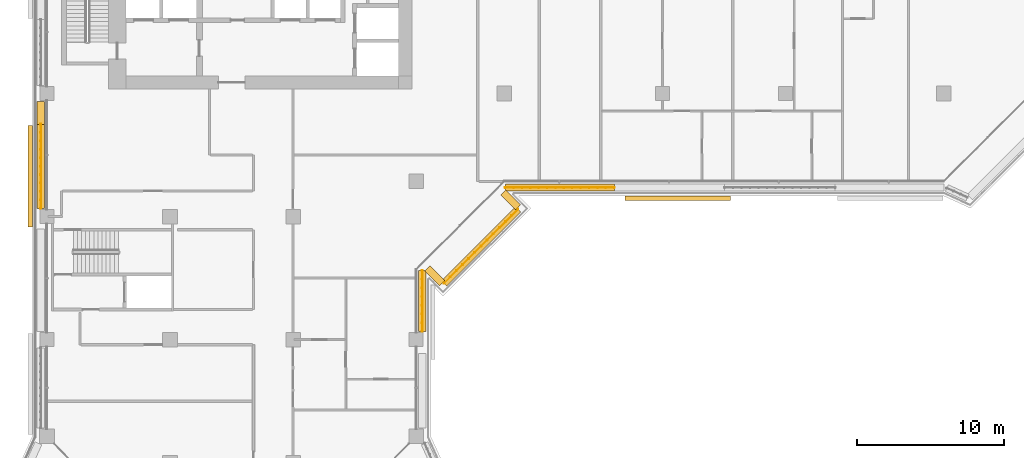
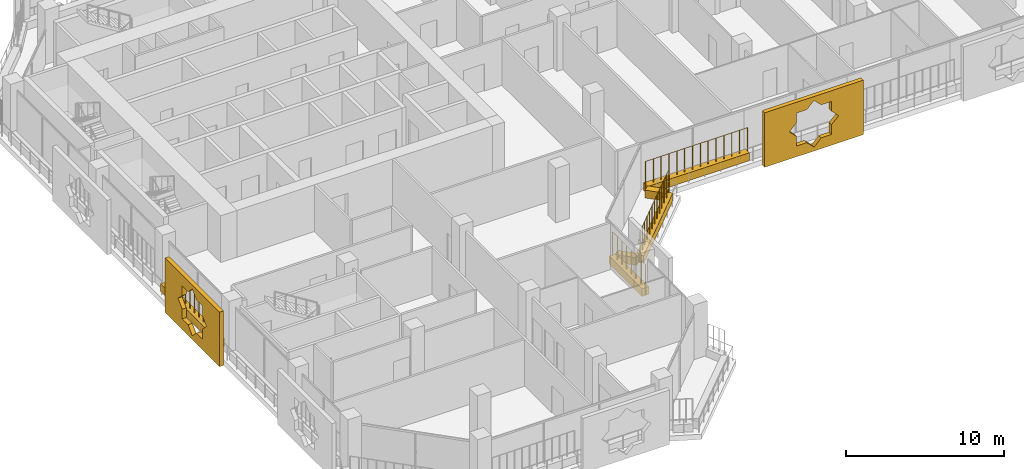
# One storey, part 17 of 22: 9 coverings, 4 railings.
"""IFC4 building model written with IfcOpenShell, lengths in metres."""

from ifc_helpers import new_model, si_unit, direction, frame, origin, origin_2d, place, context, subcontext, project, spatial, polyline, rectangle, circle, outline, extrude, material, material_profile, profile_set, type_object, element, save


model = new_model("IFC4")

# Units and contexts
model_context = context("Model", 3, precision=1e-05, world=origin(), true_north=direction((0.0, 1.0)))
body_context = subcontext(model_context, "Body", "Model", "MODEL_VIEW")
ifc_project = project(units=[si_unit("LENGTHUNIT", "METRE"), si_unit("AREAUNIT", "SQUARE_METRE"), si_unit("VOLUMEUNIT", "CUBIC_METRE"), si_unit("PLANEANGLEUNIT", "RADIAN"), si_unit("MASSUNIT", "GRAM", prefix="KILO")], contexts=[model_context])

# Site, building, storey
site_placement = place(None, origin())
site = spatial("IfcSite", under=ifc_project, at=site_placement, CompositionType="ELEMENT")
building_placement = place(site_placement, origin())
building = spatial("IfcBuilding", under=site, at=building_placement, Name="Kawkab Arch Medical Tower", CompositionType="ELEMENT")
storey_placement = place(building_placement, frame((0.0, 0.0, 183.60009765625)))
storey = spatial("IfcBuildingStorey", under=building, at=storey_placement, Name="L42", CompositionType="ELEMENT", Elevation=183.60009765625)

# Coverings
ifc_material_1 = material(Name="Bronze anodised aluminium mashrabiya panel, eight-point star pattern", Category="aluminium")
ifc_material_profile_1 = material_profile(ifc_material_1, outline(polyline([(-3.449951171875, -2.10009765625), (3.449951171875, -2.10009765625), (3.449951171875, 2.10009765625), (-3.449951171875, 2.10009765625), (-3.449951171875, -2.10009765625)]), holes=[polyline([(1.800048828125, 0.0), (1.272705078125, 0.527099609375), (1.272705078125, 1.272705078125), (0.527099609375, 1.272705078125), (0.0, 1.800048828125), (-0.527099609375, 1.272705078125), (-1.272705078125, 1.272705078125), (-1.272705078125, 0.527099609375), (-1.800048828125, 0.0), (-1.272705078125, -0.527099609375), (-1.272705078125, -1.272705078125), (-0.527099609375, -1.272705078125), (0.0, -1.800048828125), (0.527099609375, -1.272705078125), (1.272705078125, -1.272705078125), (1.272705078125, -0.527099609375), (1.800048828125, 0.0)])]), Name="Mashrabiya panel 6900x4200")
ifc_profile_set_1 = profile_set([ifc_material_profile_1], Name="Bronze anodised aluminium mashrabiya panel, eight-point star pattern")
covering_type_1 = type_object("IfcCoveringType", Name="Mashrabiya panel 6900 x 4200", PredefinedType="USERDEFINED", material=ifc_profile_set_1)
covering_1_placement = place(storey_placement, frame((-1.0, -30.850341796875, 1.699951171875), z_axis=(-1.0, 0.0, 0.0), x_axis=(0.0, -1.0, 0.0)))
element("IfcCovering", 1, at=covering_1_placement, inside=storey, type_object=covering_type_1, Name="Mashrabiya panel L42.LOG-01-01.3", ObjectType="SCREEN", PredefinedType="USERDEFINED", context=body_context, shape_type="SweptSolid", body=[
    extrude(outline(polyline([(-3.449951171875, -2.10009765625), (3.449951171875, -2.10009765625), (3.449951171875, 2.10009765625), (-3.449951171875, 2.10009765625), (-3.449951171875, -2.10009765625)]), holes=[polyline([(1.800048828125, 0.0), (1.272705078125, 0.527099609375), (1.272705078125, 1.272705078125), (0.527099609375, 1.272705078125), (0.0, 1.800048828125), (-0.527099609375, 1.272705078125), (-1.272705078125, 1.272705078125), (-1.272705078125, 0.527099609375), (-1.800048828125, 0.0), (-1.272705078125, -0.527099609375), (-1.272705078125, -1.272705078125), (-0.527099609375, -1.272705078125), (0.0, -1.800048828125), (0.527099609375, -1.272705078125), (1.272705078125, -1.272705078125), (1.272705078125, -0.527099609375), (1.800048828125, 0.0)])]), origin(), (0.0, 0.0, 1.0), 0.300048828125),
])
ifc_material_2 = material(Name="Bronze anodised aluminium mashrabiya panel, eight-point star pattern", Category="aluminium")
ifc_material_profile_2 = material_profile(ifc_material_2, outline(polyline([(-3.60009765625, -2.10009765625), (3.60009765625, -2.10009765625), (3.60009765625, 2.10009765625), (-3.60009765625, 2.10009765625), (-3.60009765625, -2.10009765625)]), holes=[polyline([(1.800048828125, 0.0), (1.272705078125, 0.527099609375), (1.272705078125, 1.272705078125), (0.527099609375, 1.272705078125), (0.0, 1.800048828125), (-0.527099609375, 1.272705078125), (-1.272705078125, 1.272705078125), (-1.272705078125, 0.527099609375), (-1.800048828125, 0.0), (-1.272705078125, -0.527099609375), (-1.272705078125, -1.272705078125), (-0.527099609375, -1.272705078125), (0.0, -1.800048828125), (0.527099609375, -1.272705078125), (1.272705078125, -1.272705078125), (1.272705078125, -0.527099609375), (1.800048828125, 0.0)])]), Name="Mashrabiya panel 7200x4200")
ifc_profile_set_2 = profile_set([ifc_material_profile_2], Name="Bronze anodised aluminium mashrabiya panel, eight-point star pattern")
covering_type_2 = type_object("IfcCoveringType", Name="Mashrabiya panel 7200 x 4200", PredefinedType="USERDEFINED", material=ifc_profile_set_2)
covering_2_placement = place(storey_placement, frame((43.06494140625, -32.199951171875, 1.699951171875), z_axis=(0.0, -1.0, 0.0), x_axis=(1.0, 0.0, 0.0)))
element("IfcCovering", 2, at=covering_2_placement, inside=storey, type_object=covering_type_2, Name="Mashrabiya panel L42.LOG-01-01.11", ObjectType="SCREEN", PredefinedType="USERDEFINED", context=body_context, shape_type="SweptSolid", body=[
    extrude(outline(polyline([(-3.60009765625, -2.10009765625), (3.60009765625, -2.10009765625), (3.60009765625, 2.10009765625), (-3.60009765625, 2.10009765625), (-3.60009765625, -2.10009765625)]), holes=[polyline([(1.800048828125, 0.0), (1.272705078125, 0.527099609375), (1.272705078125, 1.272705078125), (0.527099609375, 1.272705078125), (0.0, 1.800048828125), (-0.527099609375, 1.272705078125), (-1.272705078125, 1.272705078125), (-1.272705078125, 0.527099609375), (-1.800048828125, 0.0), (-1.272705078125, -0.527099609375), (-1.272705078125, -1.272705078125), (-0.527099609375, -1.272705078125), (0.0, -1.800048828125), (0.527099609375, -1.272705078125), (1.272705078125, -1.272705078125), (1.272705078125, -0.527099609375), (1.800048828125, 0.0)])]), origin(), (0.0, 0.0, 1.0), 0.300048828125),
])
ifc_material_3 = material(Name="Planting soil in a precast trough", Category="concrete")
ifc_material_profile_3 = material_profile(ifc_material_3, rectangle(XDim=0.5, YDim=0.60009765625, at=origin_2d()), Name="Trough 500x600")
ifc_profile_set_3 = profile_set([ifc_material_profile_3], Name="Planting soil in a precast trough")
covering_type_3 = type_object("IfcCoveringType", Name="Planter trough 500 x 600", PredefinedType="USERDEFINED", material=ifc_profile_set_3)
covering_3_placement = place(storey_placement, frame((-0.419921875, -33.044921875, 0.2998046875), z_axis=(0.0, 1.0, 0.0), x_axis=(-1.0, 0.0, 0.0)))
element("IfcCovering", 3, at=covering_3_placement, inside=storey, type_object=covering_type_3, Name="Planter L42.LOG-01-01.9", ObjectType="PLANTER", PredefinedType="USERDEFINED", context=body_context, shape_type="SweptSolid", body=[
    extrude(rectangle(XDim=0.5, YDim=0.60009765625, at=origin_2d()), origin(), (0.0, 0.0, 1.0), 5.744873046875),
])
covering_4_placement = place(storey_placement, frame((-0.419921875, -27.300048828125, 0.2998046875), z_axis=(0.0, 1.0, 0.0), x_axis=(-1.0, 0.0, 0.0)))
element("IfcCovering", 4, at=covering_4_placement, inside=storey, type_object=covering_type_3, Name="Planter L42.LOG-01-01.10", ObjectType="PLANTER", PredefinedType="USERDEFINED", context=body_context, shape_type="SweptSolid", body=[
    extrude(rectangle(XDim=0.5, YDim=0.60009765625, at=origin_2d()), origin(), (0.0, 0.0, 1.0), 1.545166015625),
])
covering_5_placement = place(storey_placement, frame((38.719970703125, -31.6201171875, 0.2998046875), z_axis=(-1.0, 0.0, 0.0), x_axis=(0.0, -1.0, 0.0)))
element("IfcCovering", 5, at=covering_5_placement, inside=storey, type_object=covering_type_3, Name="Planter L42.LOG-01-01.37", ObjectType="PLANTER", PredefinedType="USERDEFINED", context=body_context, shape_type="SweptSolid", body=[
    extrude(rectangle(XDim=0.5, YDim=0.60009765625, at=origin_2d()), origin(), (0.0, 0.0, 1.0), 7.43505859375),
])
covering_6_placement = place(storey_placement, frame((31.14306640625, -31.962890625, 0.2998046875), z_axis=(0.707020805532, -0.707192746389, 0.0), x_axis=(0.707192746389, 0.707020805532, 0.0)))
element("IfcCovering", 6, at=covering_6_placement, inside=storey, type_object=covering_type_3, Name="Planter L42.LOG-01-01.38", ObjectType="PLANTER", PredefinedType="USERDEFINED", context=body_context, shape_type="SweptSolid", body=[
    extrude(rectangle(XDim=0.5, YDim=0.60009765625, at=origin_2d()), origin(), (0.0, 0.0, 1.0), 1.419921875),
])
covering_7_placement = place(storey_placement, frame((32.14697265625, -33.10888671875, 0.2998046875), z_axis=(-0.707106781187, -0.707106781187, 0.0), x_axis=(0.707106781187, -0.707106781187, 0.0)))
element("IfcCovering", 7, at=covering_7_placement, inside=storey, type_object=covering_type_3, Name="Planter L42.LOG-01-01.39", ObjectType="PLANTER", PredefinedType="USERDEFINED", context=body_context, shape_type="SweptSolid", body=[
    extrude(rectangle(XDim=0.5, YDim=0.60009765625, at=origin_2d()), origin(), (0.0, 0.0, 1.0), 7.125),
])
covering_8_placement = place(storey_placement, frame((26.967041015625, -38.14697265625, 0.2998046875), z_axis=(-0.707192746389, 0.707020805532, 0.0), x_axis=(-0.707020805532, -0.707192746389, 0.0)))
element("IfcCovering", 8, at=covering_8_placement, inside=storey, type_object=covering_type_3, Name="Planter L42.LOG-01-01.40", ObjectType="PLANTER", PredefinedType="USERDEFINED", context=body_context, shape_type="SweptSolid", body=[
    extrude(rectangle(XDim=0.5, YDim=0.60009765625, at=origin_2d()), origin(), (0.0, 0.0, 1.0), 1.419921875),
])
covering_9_placement = place(storey_placement, frame((25.6201171875, -37.284912109375, 0.2998046875), z_axis=(0.0, -1.0, 0.0), x_axis=(1.0, 0.0, 0.0)))
element("IfcCovering", 9, at=covering_9_placement, inside=storey, type_object=covering_type_3, Name="Planter L42.LOG-01-01.41", ObjectType="PLANTER", PredefinedType="USERDEFINED", context=body_context, shape_type="SweptSolid", body=[
    extrude(rectangle(XDim=0.5, YDim=0.60009765625, at=origin_2d()), origin(), (0.0, 0.0, 1.0), 4.16015625),
])

# Railings
ifc_material_4 = material(Name="Bronze anodised aluminium trellis for climbing plants", Category="aluminium")
railing_type = type_object("IfcRailingType", Name="Planting trellis 2400", PredefinedType="USERDEFINED", material=ifc_material_4)
railing_1_placement = place(storey_placement, frame((-0.419921875, -33.044921875, 0.0)))
element("IfcRailing", 10, at=railing_1_placement, inside=storey, type_object=railing_type, Name="Planting trellis L42.LOG-01-01.9", ObjectType="TRELLIS", PredefinedType="USERDEFINED", context=body_context, shape_type="SweptSolid", body=[
    extrude(circle(Radius=0.01513671875, at=origin_2d()), frame((0.0, 0.0, 2.384765625), z_axis=(0.0, 1.0, 0.0), x_axis=(-1.0, 0.0, 0.0)), (0.0, 0.0, 1.0), 5.744873046875),
    extrude(circle(Radius=0.030029296875, at=origin_2d()), origin(), (0.0, 0.0, 1.0), 2.369873046875),
    extrude(circle(Radius=0.030029296875, at=origin_2d()), frame((0.0, 0.574462890625, 0.0)), (0.0, 0.0, 1.0), 2.369873046875),
    extrude(circle(Radius=0.030029296875, at=origin_2d()), frame((0.0, 1.14892578125, 0.0)), (0.0, 0.0, 1.0), 2.369873046875),
    extrude(circle(Radius=0.030029296875, at=origin_2d()), frame((0.0, 1.723388671875, 0.0)), (0.0, 0.0, 1.0), 2.369873046875),
    extrude(circle(Radius=0.030029296875, at=origin_2d()), frame((0.0, 2.2978515625, 0.0)), (0.0, 0.0, 1.0), 2.369873046875),
    extrude(circle(Radius=0.030029296875, at=origin_2d()), frame((0.0, 2.87255859375, 0.0)), (0.0, 0.0, 1.0), 2.369873046875),
    extrude(circle(Radius=0.030029296875, at=origin_2d()), frame((0.0, 3.447021484375, 0.0)), (0.0, 0.0, 1.0), 2.369873046875),
    extrude(circle(Radius=0.030029296875, at=origin_2d()), frame((0.0, 4.021484375, 0.0)), (0.0, 0.0, 1.0), 2.369873046875),
    extrude(circle(Radius=0.030029296875, at=origin_2d()), frame((0.0, 4.595947265625, 0.0)), (0.0, 0.0, 1.0), 2.369873046875),
    extrude(circle(Radius=0.030029296875, at=origin_2d()), frame((0.0, 5.17041015625, 0.0)), (0.0, 0.0, 1.0), 2.369873046875),
    extrude(circle(Radius=0.030029296875, at=origin_2d()), frame((0.0, 5.744873046875, 0.0)), (0.0, 0.0, 1.0), 2.369873046875),
])
railing_2_placement = place(storey_placement, frame((38.719970703125, -31.6201171875, 0.0)))
element("IfcRailing", 11, at=railing_2_placement, inside=storey, type_object=railing_type, Name="Planting trellis L42.LOG-01-01.37", ObjectType="TRELLIS", PredefinedType="USERDEFINED", context=body_context, shape_type="SweptSolid", body=[
    extrude(circle(Radius=0.01513671875, at=origin_2d()), frame((0.0, 0.0, 2.384765625), z_axis=(-1.0, 0.0, 0.0), x_axis=(0.0, -1.0, 0.0)), (0.0, 0.0, 1.0), 7.43505859375),
    extrude(circle(Radius=0.030029296875, at=origin_2d()), origin(), (0.0, 0.0, 1.0), 2.369873046875),
    extrude(circle(Radius=0.030029296875, at=origin_2d()), frame((-0.572021484375, 0.0, 0.0)), (0.0, 0.0, 1.0), 2.369873046875),
    extrude(circle(Radius=0.030029296875, at=origin_2d()), frame((-1.143798828125, 0.0, 0.0)), (0.0, 0.0, 1.0), 2.369873046875),
    extrude(circle(Radius=0.030029296875, at=origin_2d()), frame((-1.7158203125, 0.0, 0.0)), (0.0, 0.0, 1.0), 2.369873046875),
    extrude(circle(Radius=0.030029296875, at=origin_2d()), frame((-2.28759765625, 0.0, 0.0)), (0.0, 0.0, 1.0), 2.369873046875),
    extrude(circle(Radius=0.030029296875, at=origin_2d()), frame((-2.859619140625, 0.0, 0.0)), (0.0, 0.0, 1.0), 2.369873046875),
    extrude(circle(Radius=0.030029296875, at=origin_2d()), frame((-3.431640625, 0.0, 0.0)), (0.0, 0.0, 1.0), 2.369873046875),
    extrude(circle(Radius=0.030029296875, at=origin_2d()), frame((-4.00341796875, 0.0, 0.0)), (0.0, 0.0, 1.0), 2.369873046875),
    extrude(circle(Radius=0.030029296875, at=origin_2d()), frame((-4.575439453125, 0.0, 0.0)), (0.0, 0.0, 1.0), 2.369873046875),
    extrude(circle(Radius=0.030029296875, at=origin_2d()), frame((-5.1474609375, 0.0, 0.0)), (0.0, 0.0, 1.0), 2.369873046875),
    extrude(circle(Radius=0.030029296875, at=origin_2d()), frame((-5.71923828125, 0.0, 0.0)), (0.0, 0.0, 1.0), 2.369873046875),
    extrude(circle(Radius=0.030029296875, at=origin_2d()), frame((-6.291259765625, 0.0, 0.0)), (0.0, 0.0, 1.0), 2.369873046875),
    extrude(circle(Radius=0.030029296875, at=origin_2d()), frame((-6.863037109375, 0.0, 0.0)), (0.0, 0.0, 1.0), 2.369873046875),
    extrude(circle(Radius=0.030029296875, at=origin_2d()), frame((-7.43505859375, 0.0, 0.0)), (0.0, 0.0, 1.0), 2.369873046875),
])
railing_3_placement = place(storey_placement, frame((32.14697265625, -33.10888671875, 0.0)))
element("IfcRailing", 12, at=railing_3_placement, inside=storey, type_object=railing_type, Name="Planting trellis L42.LOG-01-01.39", ObjectType="TRELLIS", PredefinedType="USERDEFINED", context=body_context, shape_type="SweptSolid", body=[
    extrude(circle(Radius=0.01513671875, at=origin_2d()), frame((0.0, 0.0, 2.384765625), z_axis=(-0.707106781187, -0.707106781187, 0.0), x_axis=(0.707106781187, -0.707106781187, 0.0)), (0.0, 0.0, 1.0), 7.125),
    extrude(circle(Radius=0.030029296875, at=origin_2d()), origin(), (0.0, 0.0, 1.0), 2.369873046875),
    extrude(circle(Radius=0.030029296875, at=origin_2d()), frame((-0.419921875, -0.419921875, 0.0)), (0.0, 0.0, 1.0), 2.369873046875),
    extrude(circle(Radius=0.030029296875, at=origin_2d()), frame((-0.839599609375, -0.839599609375, 0.0)), (0.0, 0.0, 1.0), 2.369873046875),
    extrude(circle(Radius=0.030029296875, at=origin_2d()), frame((-1.259521484375, -1.259521484375, 0.0)), (0.0, 0.0, 1.0), 2.369873046875),
    extrude(circle(Radius=0.030029296875, at=origin_2d()), frame((-1.679443359375, -1.679443359375, 0.0)), (0.0, 0.0, 1.0), 2.369873046875),
    extrude(circle(Radius=0.030029296875, at=origin_2d()), frame((-2.09912109375, -2.09912109375, 0.0)), (0.0, 0.0, 1.0), 2.369873046875),
    extrude(circle(Radius=0.030029296875, at=origin_2d()), frame((-2.51904296875, -2.51904296875, 0.0)), (0.0, 0.0, 1.0), 2.369873046875),
    extrude(circle(Radius=0.030029296875, at=origin_2d()), frame((-2.93896484375, -2.93896484375, 0.0)), (0.0, 0.0, 1.0), 2.369873046875),
    extrude(circle(Radius=0.030029296875, at=origin_2d()), frame((-3.358642578125, -3.358642578125, 0.0)), (0.0, 0.0, 1.0), 2.369873046875),
    extrude(circle(Radius=0.030029296875, at=origin_2d()), frame((-3.778564453125, -3.778564453125, 0.0)), (0.0, 0.0, 1.0), 2.369873046875),
    extrude(circle(Radius=0.030029296875, at=origin_2d()), frame((-4.198486328125, -4.198486328125, 0.0)), (0.0, 0.0, 1.0), 2.369873046875),
    extrude(circle(Radius=0.030029296875, at=origin_2d()), frame((-4.6181640625, -4.6181640625, 0.0)), (0.0, 0.0, 1.0), 2.369873046875),
    extrude(circle(Radius=0.030029296875, at=origin_2d()), frame((-5.0380859375, -5.0380859375, 0.0)), (0.0, 0.0, 1.0), 2.369873046875),
])
railing_4_placement = place(storey_placement, frame((25.6201171875, -37.284912109375, 0.0)))
element("IfcRailing", 13, at=railing_4_placement, inside=storey, type_object=railing_type, Name="Planting trellis L42.LOG-01-01.41", ObjectType="TRELLIS", PredefinedType="USERDEFINED", context=body_context, shape_type="SweptSolid", body=[
    extrude(circle(Radius=0.01513671875, at=origin_2d()), frame((0.0, 0.0, 2.384765625), z_axis=(0.0, -1.0, 0.0), x_axis=(1.0, 0.0, 0.0)), (0.0, 0.0, 1.0), 4.16015625),
    extrude(circle(Radius=0.030029296875, at=origin_2d()), origin(), (0.0, 0.0, 1.0), 2.369873046875),
    extrude(circle(Radius=0.030029296875, at=origin_2d()), frame((0.0, -0.59423828125, 0.0)), (0.0, 0.0, 1.0), 2.369873046875),
    extrude(circle(Radius=0.030029296875, at=origin_2d()), frame((0.0, -1.188720703125, 0.0)), (0.0, 0.0, 1.0), 2.369873046875),
    extrude(circle(Radius=0.030029296875, at=origin_2d()), frame((0.0, -1.782958984375, 0.0)), (0.0, 0.0, 1.0), 2.369873046875),
    extrude(circle(Radius=0.030029296875, at=origin_2d()), frame((0.0, -2.377197265625, 0.0)), (0.0, 0.0, 1.0), 2.369873046875),
    extrude(circle(Radius=0.030029296875, at=origin_2d()), frame((0.0, -2.971435546875, 0.0)), (0.0, 0.0, 1.0), 2.369873046875),
    extrude(circle(Radius=0.030029296875, at=origin_2d()), frame((0.0, -3.56591796875, 0.0)), (0.0, 0.0, 1.0), 2.369873046875),
    extrude(circle(Radius=0.030029296875, at=origin_2d()), frame((0.0, -4.16015625, 0.0)), (0.0, 0.0, 1.0), 2.369873046875),
])

save(model, "model.ifc")
